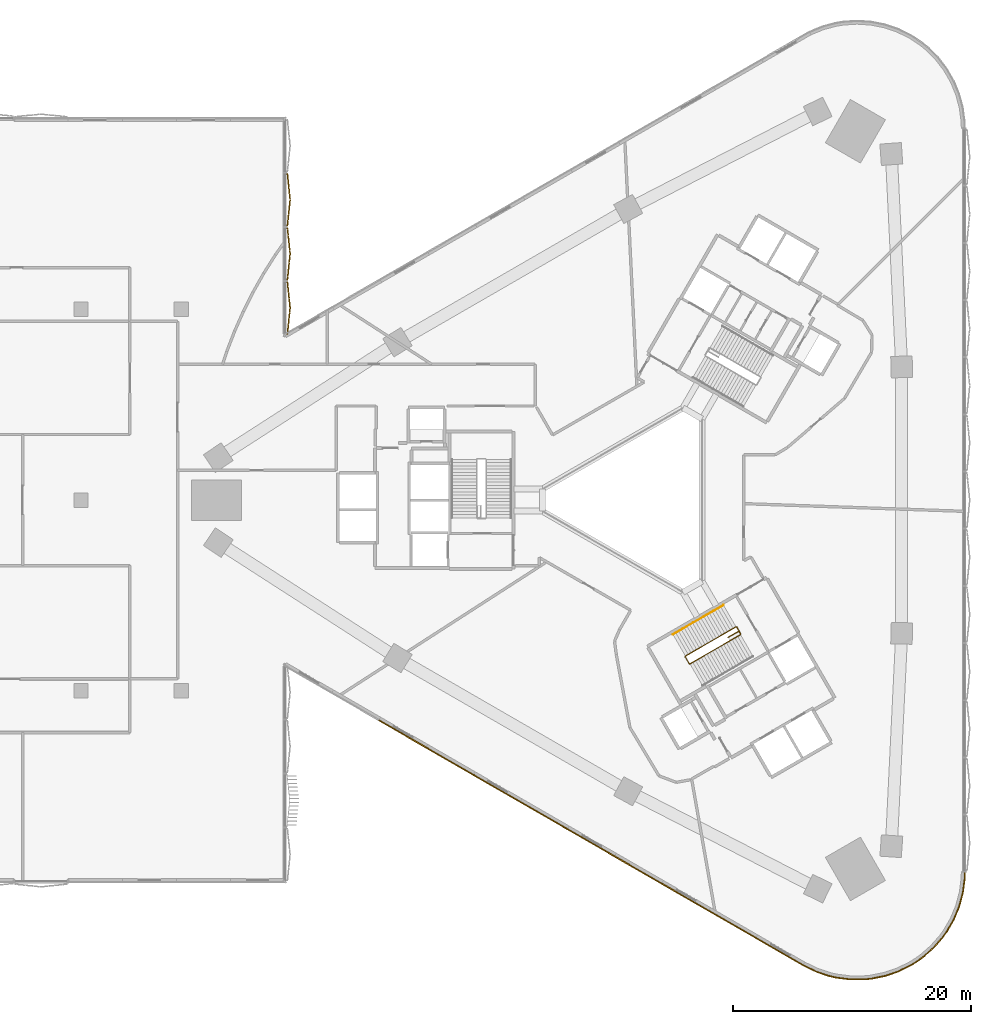
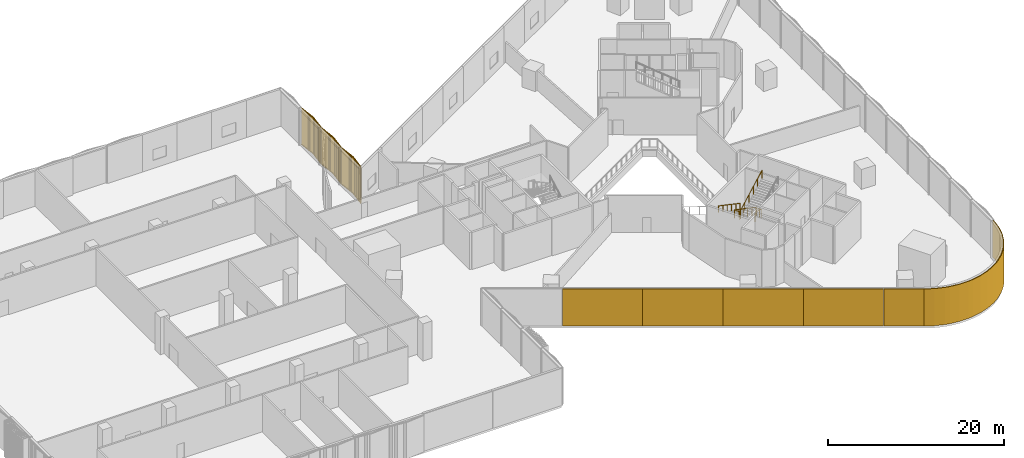
# One storey, part 26 of 31: 9 coverings, 2 railings.
"""IFC4 building model written with IfcOpenShell, lengths in metres."""

from ifc_helpers import new_model, si_unit, direction, frame, frame_2d, origin, origin_2d, place, context, subcontext, project, spatial, polyline, rectangle, circle, outline, extrude, source, transform, mapped, material, layer, layer_set, type_object, element, save


model = new_model("IFC4")

# Units and contexts
model_context = context("Model", 3, precision=1e-05, world=origin(), true_north=direction((0.0, 1.0)))
body_context = subcontext(model_context, "Body", "Model", "MODEL_VIEW")
ifc_project = project(units=[si_unit("LENGTHUNIT", "METRE"), si_unit("AREAUNIT", "SQUARE_METRE"), si_unit("VOLUMEUNIT", "CUBIC_METRE"), si_unit("PLANEANGLEUNIT", "RADIAN"), si_unit("MASSUNIT", "GRAM", prefix="KILO")], contexts=[model_context])

# Site, building, storey
site_placement = place(None, origin())
site = spatial("IfcSite", under=ifc_project, at=site_placement, CompositionType="ELEMENT")
building_placement = place(site_placement, origin())
building = spatial("IfcBuilding", under=site, at=building_placement, Name="Tamra Quay Hotel Tower", CompositionType="ELEMENT")
storey_placement = place(building_placement, frame((0.0, 0.0, 14.0)))
storey = spatial("IfcBuildingStorey", under=building, at=storey_placement, Name="L02", CompositionType="ELEMENT", Elevation=14.0)

# Coverings
ifc_material_1 = material(Name="Precast concrete M60 terracotta-coloured pierced relief", Category="masonry")
ifc_layer = layer(ifc_material_1, 0.10009765625)
ifc_layer_set = layer_set([ifc_layer], Name="PIERCED RELIEF PANEL 100")
covering_type_1 = type_object("IfcCoveringType", Name="PIERCED RELIEF PANEL 100", PredefinedType="CLADDING", material=ifc_layer_set)
for number, where, z_axis, x_axis, name in (
    (1, (-18.161376953125, -20.749267578125, 0.0), (0.0, 0.0, 1.0), (0.866025403784, -0.5, 0.0), "Relief panel L02.SW.02"),
    (2, (-10.252197265625, -25.3154296875, 0.0), (0.0, 0.0, 1.0), (0.866025403784, -0.5, 0.0), "Relief panel L02.SW.04"),
    (3, (-2.34326171875, -29.8818359375, 0.0), (0.0, 0.0, 1.0), (0.866025403784, -0.5, 0.0), "Relief panel L02.SW.06"),
    (4, (5.56591796875, -34.4482421875, 0.0), (0.0, 0.0, 1.0), (0.866025403784, -0.5, 0.0), "Relief panel L02.SW.08"),
):
    element("IfcCovering", number, at=place(storey_placement, frame(where, z_axis=z_axis, x_axis=x_axis)), inside=storey, type_object=covering_type_1, Name=name, PredefinedType="CLADDING", context=body_context, shape_type="SweptSolid", body=[
        extrude(rectangle(XDim=9.112548828125, YDim=0.10009765625, at=origin_2d()), origin(), (0.0, 0.0, 1.0), 5.14990234375),
    ])
covering_1_placement = place(storey_placement, frame((11.497802734375, -37.872802734375, 0.0), z_axis=(0.0, 0.0, 1.0), x_axis=(0.866025403784, -0.5, 0.0)))
element("IfcCovering", 5, at=covering_1_placement, inside=storey, type_object=covering_type_1, Name="Relief panel L02.SW.10", PredefinedType="CLADDING", context=body_context, shape_type="SweptSolid", body=[
    extrude(rectangle(XDim=4.54638671875, YDim=0.10009765625, at=origin_2d()), origin(), (0.0, 0.0, 1.0), 5.14990234375),
])
covering_2_placement = place(storey_placement, origin())
element("IfcCovering", 6, at=covering_2_placement, inside=storey, type_object=covering_type_1, Name="Relief panel L02.c1", PredefinedType="CLADDING", context=body_context, shape_type="SweptSolid", body=[
    extrude(outline(polyline([(13.5, -38.97119140625), (14.555908203125, -39.491943359375), (15.670654296875, -39.870361328125), (16.244140625, -40.00390625), (17.411376953125, -40.15771484375), (18.588623046875, -40.15771484375), (19.1748046875, -40.099853515625), (20.329345703125, -39.870361328125), (21.444091796875, -39.491943359375), (22.5, -38.97119140625), (23.000244140625, -38.66015625), (23.478759765625, -38.317138671875), (24.364013671875, -37.540771484375), (25.14013671875, -36.65576171875), (25.483154296875, -36.177001953125), (26.07177734375, -35.157470703125), (26.5224609375, -34.06982421875), (26.8271484375, -32.9326171875), (26.980712890625, -31.765625), (27.0, -31.177001953125), (27.099853515625, -31.18017578125), (27.080322265625, -31.773681640625), (26.925048828125, -32.9521484375), (26.616943359375, -34.10205078125), (26.16162109375, -35.20166015625), (25.5673828125, -36.231201171875), (25.218505859375, -36.718017578125), (24.4345703125, -37.611572265625), (23.541015625, -38.3955078125), (23.0556640625, -38.743408203125), (22.548583984375, -39.05859375), (21.482421875, -39.584228515625), (20.355224609375, -39.966796875), (19.189453125, -40.19873046875), (18.593505859375, -40.257568359375), (17.40478515625, -40.25732421875), (16.226318359375, -40.102294921875), (15.64306640625, -39.96630859375), (14.517578125, -39.584228515625), (13.455810546875, -39.060791015625), (13.5, -38.97119140625)])), origin(), (0.0, 0.0, 1.0), 5.14990234375),
])

# Railings
ifc_material_2 = material(Name="Stair guard 1100")
railing_type_1 = type_object("IfcRailingType", Name="Stair guard 1100", PredefinedType="GUARDRAIL", material=ifc_material_2)
railing_1_placement = place(storey_placement, frame((7.179443359375, -11.514892578125, 0.0)))
element("IfcRailing", 7, at=railing_1_placement, inside=storey, type_object=railing_type_1, Name="GR", PredefinedType="GUARDRAIL", context=body_context, shape_type="SweptSolid", body=[
    extrude(circle(Radius=0.02392578125, at=origin_2d()), frame((0.0, 0.0, 1.076171875), z_axis=(0.866010750942, 0.50002537861, 0.0), x_axis=(-0.50002537861, 0.866010750942, 0.0)), (0.0, 0.0, 1.0), 1.0),
    extrude(circle(Radius=0.02392578125, at=origin_2d()), frame((0.865966796875, 0.5, 1.076171875), z_axis=(0.695576653509, -0.718451890591, 0.0), x_axis=(0.718451890591, 0.695576653509, 0.0)), (0.0, 0.0, 1.0), 0.2880859375),
    extrude(circle(Radius=0.02392578125, at=origin_2d()), frame((1.06640625, 0.29296875, 1.076171875), z_axis=(-0.500043078269, 0.866000531106, 0.0), x_axis=(-0.866000531106, -0.500043078269, 0.0)), (0.0, 0.0, 1.0), 0.6591796875),
    extrude(circle(Radius=0.02392578125, at=origin_2d()), frame((0.73681640625, 0.86376953125, 1.076171875), z_axis=(-0.424206393549, 0.113626712558, 0.898408540624), x_axis=(-0.258736085224, -0.965948051503, 0.0)), (0.0, 0.0, 1.0), 0.1611328125),
    extrude(circle(Radius=0.02392578125, at=origin_2d()), frame((0.66845703125, 0.882080078125, 1.220703125), z_axis=(-0.764522017745, -0.441403942646, 0.469753811905), x_axis=(0.500005904428, -0.866021994834, 0.0)), (0.0, 0.0, 1.0), 5.5458984375),
    extrude(circle(Radius=0.02392578125, at=origin_2d()), frame((-3.571533203125, -1.56591796875, 3.826171875), z_axis=(-0.258736085224, -0.965948051503, 0.0), x_axis=(0.965948051503, -0.258736085224, 0.0)), (0.0, 0.0, 1.0), 0.07080078125),
    extrude(circle(Radius=0.02392578125, at=origin_2d()), frame((-3.58984375, -1.63427734375, 3.826171875), z_axis=(0.500043078269, -0.866000531106, 0.0), x_axis=(0.866000531106, 0.500043078269, 0.0)), (0.0, 0.0, 1.0), 0.6591796875),
    extrude(circle(Radius=0.02392578125, at=origin_2d()), frame((-3.26025390625, -2.205078125, 3.826171875), z_axis=(0.423035241052, -0.112202895476, 0.899139419153), x_axis=(0.256368644879, 0.966579080015, 0.0)), (0.0, 0.0, 1.0), 0.1611328125),
    extrude(circle(Radius=0.02392578125, at=origin_2d()), frame((-3.192138671875, -2.22314453125, 3.970703125), z_axis=(0.764540308038, 0.441389087327, 0.46973800248), x_axis=(-0.499984312444, 0.866034460809, 0.0)), (0.0, 0.0, 1.0), 5.546142578125),
    extrude(circle(Radius=0.02099609375, at=origin_2d()), origin(), (0.0, 0.0, 1.0), 1.052001953125),
    extrude(circle(Radius=0.02099609375, at=origin_2d()), frame((0.865966796875, 0.5, 0.0)), (0.0, 0.0, 1.0), 1.052001953125),
    extrude(circle(Radius=0.02099609375, at=origin_2d()), frame((1.06640625, 0.29296875, 0.0)), (0.0, 0.0, 1.0), 1.052001953125),
    extrude(circle(Radius=0.02099609375, at=origin_2d()), frame((0.73681640625, 0.86376953125, 0.0)), (0.0, 0.0, 1.0), 1.052001953125),
    extrude(circle(Radius=0.02099609375, at=origin_2d()), frame((0.66845703125, 0.882080078125, 0.144775390625)), (0.0, 0.0, 1.0), 1.052001953125),
    extrude(circle(Radius=0.02099609375, at=origin_2d()), frame((-0.179443359375, 0.392578125, 0.665771484375)), (0.0, 0.0, 1.0), 1.052001953125),
    extrude(circle(Radius=0.02099609375, at=origin_2d()), frame((-1.027587890625, -0.09716796875, 1.186767578125)), (0.0, 0.0, 1.0), 1.052001953125),
    extrude(circle(Radius=0.02099609375, at=origin_2d()), frame((-1.87548828125, -0.586669921875, 1.7080078125)), (0.0, 0.0, 1.0), 1.052001953125),
    extrude(circle(Radius=0.02099609375, at=origin_2d()), frame((-2.7236328125, -1.076416015625, 2.22900390625)), (0.0, 0.0, 1.0), 1.052001953125),
    extrude(circle(Radius=0.02099609375, at=origin_2d()), frame((-3.571533203125, -1.56591796875, 2.75)), (0.0, 0.0, 1.0), 1.052001953125),
    extrude(circle(Radius=0.02099609375, at=origin_2d()), frame((-3.58984375, -1.63427734375, 2.75)), (0.0, 0.0, 1.0), 1.052001953125),
    extrude(circle(Radius=0.02099609375, at=origin_2d()), frame((-3.26025390625, -2.205078125, 2.75)), (0.0, 0.0, 1.0), 1.052001953125),
    extrude(circle(Radius=0.02099609375, at=origin_2d()), frame((-3.192138671875, -2.22314453125, 2.894775390625)), (0.0, 0.0, 1.0), 1.052001953125),
    extrude(circle(Radius=0.02099609375, at=origin_2d()), frame((-2.343994140625, -1.733642578125, 3.415771484375)), (0.0, 0.0, 1.0), 1.052001953125),
    extrude(circle(Radius=0.02099609375, at=origin_2d()), frame((-1.49609375, -1.243896484375, 3.936767578125)), (0.0, 0.0, 1.0), 1.052001953125),
    extrude(circle(Radius=0.02099609375, at=origin_2d()), frame((-0.64794921875, -0.75439453125, 4.4580078125)), (0.0, 0.0, 1.0), 1.052001953125),
    extrude(circle(Radius=0.02099609375, at=origin_2d()), frame((0.199951171875, -0.2646484375, 4.97900390625)), (0.0, 0.0, 1.0), 1.052001953125),
    extrude(circle(Radius=0.02099609375, at=origin_2d()), frame((1.048095703125, 0.224853515625, 5.5)), (0.0, 0.0, 1.0), 1.052001953125),
])
ifc_material_3 = material(Name="Stair handrail 900")
railing_type_2 = type_object("IfcRailingType", Name="Stair handrail 900", PredefinedType="HANDRAIL", material=ifc_material_3)
railing_2_placement = place(storey_placement, frame((6.7978515625, -8.814208984375, 0.144775390625)))
element("IfcRailing", 8, at=railing_2_placement, inside=storey, type_object=railing_type_2, Name="HR", PredefinedType="HANDRAIL", context=body_context, shape_type="SweptSolid", body=[
    extrude(circle(Radius=0.02392578125, at=origin_2d()), frame((0.0, 0.0, 0.8759765625), z_axis=(-0.764522017745, -0.441403942646, 0.469753811905), x_axis=(0.500005904428, -0.866021994834, 0.0)), (0.0, 0.0, 1.0), 5.5458984375),
    extrude(circle(Radius=0.02099609375, at=origin_2d()), origin(), (0.0, 0.0, 1.0), 0.851806640625),
    extrude(circle(Radius=0.02099609375, at=origin_2d()), frame((-0.847900390625, -0.489501953125, 0.52099609375)), (0.0, 0.0, 1.0), 0.851806640625),
    extrude(circle(Radius=0.02099609375, at=origin_2d()), frame((-1.696044921875, -0.979248046875, 1.0419921875)), (0.0, 0.0, 1.0), 0.851806640625),
    extrude(circle(Radius=0.02099609375, at=origin_2d()), frame((-2.5439453125, -1.46875, 1.563232421875)), (0.0, 0.0, 1.0), 0.851806640625),
    extrude(circle(Radius=0.02099609375, at=origin_2d()), frame((-3.39208984375, -1.95849609375, 2.084228515625)), (0.0, 0.0, 1.0), 0.851806640625),
    extrude(circle(Radius=0.02099609375, at=origin_2d()), frame((-4.239990234375, -2.447998046875, 2.605224609375)), (0.0, 0.0, 1.0), 0.851806640625),
])

# Coverings
ifc_material_4 = material(Name="Terracotta baguette extruded", Category="masonry")
covering_type_2 = type_object("IfcCoveringType", Name="BAGUETTE SCREEN PODIUM-SHALLOW H5150", PredefinedType="USERDEFINED", material=ifc_material_4)
shared_shape = source(origin(), body_context, "Body", "SweptSolid", [
    extrude(rectangle(XDim=2.234619140625, YDim=0.06005859375, at=frame_2d((1.1171875, 0.030029296875))), frame((-2.228759765625, -0.0576171875, -0.1201171875), z_axis=(0.0, 0.0, 1.0), x_axis=(0.994521895368, -0.104528463268, 0.0)), (0.0, 0.0, 1.0), 0.1201171875),
    extrude(rectangle(XDim=2.234619140625, YDim=0.06005859375, at=frame_2d((1.1171875, 0.030029296875))), frame((-2.228759765625, -0.0576171875, -5.14990234375), z_axis=(0.0, 0.0, 1.0), x_axis=(0.994521895368, -0.104528463268, 0.0)), (0.0, 0.0, 1.0), 0.1201171875),
    extrude(rectangle(XDim=0.094970703125, YDim=0.10009765625, at=frame_2d((0.04736328125, 0.050048828125))), frame((-2.219482421875, -0.13330078125, -5.090087890625)), (0.0, 0.0, 1.0), 5.030029296875),
    extrude(rectangle(XDim=0.094970703125, YDim=0.10009765625, at=frame_2d((0.04736328125, 0.050048828125))), frame((-2.118408203125, -0.14404296875, -5.090087890625)), (0.0, 0.0, 1.0), 5.030029296875),
    extrude(rectangle(XDim=0.094970703125, YDim=0.10009765625, at=frame_2d((0.04736328125, 0.050048828125))), frame((-2.017333984375, -0.154541015625, -5.090087890625)), (0.0, 0.0, 1.0), 5.030029296875),
    extrude(rectangle(XDim=0.094970703125, YDim=0.10009765625, at=frame_2d((0.04736328125, 0.050048828125))), frame((-1.91650390625, -0.1650390625, -5.090087890625)), (0.0, 0.0, 1.0), 5.030029296875),
    extrude(rectangle(XDim=0.094970703125, YDim=0.10009765625, at=frame_2d((0.04736328125, 0.050048828125))), frame((-1.8154296875, -0.17578125, -5.090087890625)), (0.0, 0.0, 1.0), 5.030029296875),
    extrude(rectangle(XDim=0.094970703125, YDim=0.10009765625, at=frame_2d((0.04736328125, 0.050048828125))), frame((-1.71435546875, -0.186279296875, -5.090087890625)), (0.0, 0.0, 1.0), 5.030029296875),
    extrude(rectangle(XDim=0.094970703125, YDim=0.10009765625, at=frame_2d((0.04736328125, 0.050048828125))), frame((-1.61328125, -0.197021484375, -5.090087890625)), (0.0, 0.0, 1.0), 5.030029296875),
    extrude(rectangle(XDim=0.094970703125, YDim=0.10009765625, at=frame_2d((0.04736328125, 0.050048828125))), frame((-1.512451171875, -0.20751953125, -5.090087890625)), (0.0, 0.0, 1.0), 5.030029296875),
    extrude(rectangle(XDim=0.094970703125, YDim=0.10009765625, at=frame_2d((0.04736328125, 0.050048828125))), frame((-1.411376953125, -0.21826171875, -5.090087890625)), (0.0, 0.0, 1.0), 5.030029296875),
    extrude(rectangle(XDim=0.094970703125, YDim=0.10009765625, at=frame_2d((0.04736328125, 0.050048828125))), frame((-1.310302734375, -0.228759765625, -5.090087890625)), (0.0, 0.0, 1.0), 5.030029296875),
    extrude(rectangle(XDim=0.094970703125, YDim=0.10009765625, at=frame_2d((0.04736328125, 0.050048828125))), frame((-1.209228515625, -0.239501953125, -5.090087890625)), (0.0, 0.0, 1.0), 5.030029296875),
    extrude(rectangle(XDim=0.094970703125, YDim=0.10009765625, at=frame_2d((0.04736328125, 0.050048828125))), frame((-1.108154296875, -0.25, -5.090087890625)), (0.0, 0.0, 1.0), 5.030029296875),
    extrude(rectangle(XDim=0.094970703125, YDim=0.10009765625, at=frame_2d((0.04736328125, 0.050048828125))), frame((-1.00732421875, -0.2607421875, -5.090087890625)), (0.0, 0.0, 1.0), 5.030029296875),
    extrude(rectangle(XDim=0.094970703125, YDim=0.10009765625, at=frame_2d((0.04736328125, 0.050048828125))), frame((-0.90625, -0.271240234375, -5.090087890625)), (0.0, 0.0, 1.0), 5.030029296875),
    extrude(rectangle(XDim=0.094970703125, YDim=0.10009765625, at=frame_2d((0.04736328125, 0.050048828125))), frame((-0.80517578125, -0.281982421875, -5.090087890625)), (0.0, 0.0, 1.0), 5.030029296875),
    extrude(rectangle(XDim=0.094970703125, YDim=0.10009765625, at=frame_2d((0.04736328125, 0.050048828125))), frame((-0.7041015625, -0.29248046875, -5.090087890625)), (0.0, 0.0, 1.0), 5.030029296875),
    extrude(rectangle(XDim=0.094970703125, YDim=0.10009765625, at=frame_2d((0.04736328125, 0.050048828125))), frame((-0.60302734375, -0.30322265625, -5.090087890625)), (0.0, 0.0, 1.0), 5.030029296875),
    extrude(rectangle(XDim=0.094970703125, YDim=0.10009765625, at=frame_2d((0.04736328125, 0.050048828125))), frame((-0.502197265625, -0.313720703125, -5.090087890625)), (0.0, 0.0, 1.0), 5.030029296875),
    extrude(rectangle(XDim=0.094970703125, YDim=0.10009765625, at=frame_2d((0.04736328125, 0.050048828125))), frame((-0.401123046875, -0.324462890625, -5.090087890625)), (0.0, 0.0, 1.0), 5.030029296875),
    extrude(rectangle(XDim=0.094970703125, YDim=0.10009765625, at=frame_2d((0.04736328125, 0.050048828125))), frame((-0.300048828125, -0.3349609375, -5.090087890625)), (0.0, 0.0, 1.0), 5.030029296875),
    extrude(rectangle(XDim=0.094970703125, YDim=0.10009765625, at=frame_2d((0.04736328125, 0.050048828125))), frame((-0.198974609375, -0.345703125, -5.090087890625)), (0.0, 0.0, 1.0), 5.030029296875),
    extrude(rectangle(XDim=0.094970703125, YDim=0.10009765625, at=frame_2d((0.04736328125, 0.050048828125))), frame((-0.097900390625, -0.356201171875, -5.090087890625)), (0.0, 0.0, 1.0), 5.030029296875),
    extrude(rectangle(XDim=2.234619140625, YDim=0.06005859375, at=frame_2d((1.1171875, 0.030029296875))), frame((0.00634765625, -0.291259765625, -0.1201171875), z_axis=(0.0, 0.0, 1.0), x_axis=(0.994521895368, 0.104528463268, 0.0)), (0.0, 0.0, 1.0), 0.1201171875),
    extrude(rectangle(XDim=2.234619140625, YDim=0.06005859375, at=frame_2d((1.1171875, 0.030029296875))), frame((0.00634765625, -0.291259765625, -5.14990234375), z_axis=(0.0, 0.0, 1.0), x_axis=(0.994521895368, 0.104528463268, 0.0)), (0.0, 0.0, 1.0), 0.1201171875),
    extrude(rectangle(XDim=0.094970703125, YDim=0.10009765625, at=frame_2d((0.04736328125, 0.050048828125))), frame((0.0029296875, -0.356201171875, -5.090087890625)), (0.0, 0.0, 1.0), 5.030029296875),
    extrude(rectangle(XDim=0.094970703125, YDim=0.10009765625, at=frame_2d((0.04736328125, 0.050048828125))), frame((0.10400390625, -0.345703125, -5.090087890625)), (0.0, 0.0, 1.0), 5.030029296875),
    extrude(rectangle(XDim=0.094970703125, YDim=0.10009765625, at=frame_2d((0.04736328125, 0.050048828125))), frame((0.205078125, -0.3349609375, -5.090087890625)), (0.0, 0.0, 1.0), 5.030029296875),
    extrude(rectangle(XDim=0.094970703125, YDim=0.10009765625, at=frame_2d((0.04736328125, 0.050048828125))), frame((0.30615234375, -0.324462890625, -5.090087890625)), (0.0, 0.0, 1.0), 5.030029296875),
    extrude(rectangle(XDim=0.094970703125, YDim=0.10009765625, at=frame_2d((0.04736328125, 0.050048828125))), frame((0.406982421875, -0.313720703125, -5.090087890625)), (0.0, 0.0, 1.0), 5.030029296875),
    extrude(rectangle(XDim=0.094970703125, YDim=0.10009765625, at=frame_2d((0.04736328125, 0.050048828125))), frame((0.508056640625, -0.30322265625, -5.090087890625)), (0.0, 0.0, 1.0), 5.030029296875),
    extrude(rectangle(XDim=0.094970703125, YDim=0.10009765625, at=frame_2d((0.04736328125, 0.050048828125))), frame((0.609130859375, -0.29248046875, -5.090087890625)), (0.0, 0.0, 1.0), 5.030029296875),
    extrude(rectangle(XDim=0.094970703125, YDim=0.10009765625, at=frame_2d((0.04736328125, 0.050048828125))), frame((0.710205078125, -0.281982421875, -5.090087890625)), (0.0, 0.0, 1.0), 5.030029296875),
    extrude(rectangle(XDim=0.094970703125, YDim=0.10009765625, at=frame_2d((0.04736328125, 0.050048828125))), frame((0.811279296875, -0.271240234375, -5.090087890625)), (0.0, 0.0, 1.0), 5.030029296875),
    extrude(rectangle(XDim=0.094970703125, YDim=0.10009765625, at=frame_2d((0.04736328125, 0.050048828125))), frame((0.912109375, -0.2607421875, -5.090087890625)), (0.0, 0.0, 1.0), 5.030029296875),
    extrude(rectangle(XDim=0.094970703125, YDim=0.10009765625, at=frame_2d((0.04736328125, 0.050048828125))), frame((1.01318359375, -0.25, -5.090087890625)), (0.0, 0.0, 1.0), 5.030029296875),
    extrude(rectangle(XDim=0.094970703125, YDim=0.10009765625, at=frame_2d((0.04736328125, 0.050048828125))), frame((1.1142578125, -0.239501953125, -5.090087890625)), (0.0, 0.0, 1.0), 5.030029296875),
    extrude(rectangle(XDim=0.094970703125, YDim=0.10009765625, at=frame_2d((0.04736328125, 0.050048828125))), frame((1.21533203125, -0.228759765625, -5.090087890625)), (0.0, 0.0, 1.0), 5.030029296875),
    extrude(rectangle(XDim=0.094970703125, YDim=0.10009765625, at=frame_2d((0.04736328125, 0.050048828125))), frame((1.31640625, -0.21826171875, -5.090087890625)), (0.0, 0.0, 1.0), 5.030029296875),
    extrude(rectangle(XDim=0.094970703125, YDim=0.10009765625, at=frame_2d((0.04736328125, 0.050048828125))), frame((1.417236328125, -0.20751953125, -5.090087890625)), (0.0, 0.0, 1.0), 5.030029296875),
    extrude(rectangle(XDim=0.094970703125, YDim=0.10009765625, at=frame_2d((0.04736328125, 0.050048828125))), frame((1.518310546875, -0.197021484375, -5.090087890625)), (0.0, 0.0, 1.0), 5.030029296875),
    extrude(rectangle(XDim=0.094970703125, YDim=0.10009765625, at=frame_2d((0.04736328125, 0.050048828125))), frame((1.619384765625, -0.186279296875, -5.090087890625)), (0.0, 0.0, 1.0), 5.030029296875),
    extrude(rectangle(XDim=0.094970703125, YDim=0.10009765625, at=frame_2d((0.04736328125, 0.050048828125))), frame((1.720458984375, -0.17578125, -5.090087890625)), (0.0, 0.0, 1.0), 5.030029296875),
    extrude(rectangle(XDim=0.094970703125, YDim=0.10009765625, at=frame_2d((0.04736328125, 0.050048828125))), frame((1.821533203125, -0.1650390625, -5.090087890625)), (0.0, 0.0, 1.0), 5.030029296875),
    extrude(rectangle(XDim=0.094970703125, YDim=0.10009765625, at=frame_2d((0.04736328125, 0.050048828125))), frame((1.92236328125, -0.154541015625, -5.090087890625)), (0.0, 0.0, 1.0), 5.030029296875),
    extrude(rectangle(XDim=0.094970703125, YDim=0.10009765625, at=frame_2d((0.04736328125, 0.050048828125))), frame((2.0234375, -0.14404296875, -5.090087890625)), (0.0, 0.0, 1.0), 5.030029296875),
    extrude(rectangle(XDim=0.094970703125, YDim=0.10009765625, at=frame_2d((0.04736328125, 0.050048828125))), frame((2.12451171875, -0.13330078125, -5.090087890625)), (0.0, 0.0, 1.0), 5.030029296875),
])
for number, where, z_axis, x_axis, name in (
    (9, (-29.85205078125, 16.124267578125, 5.14990234375), (0.0, 0.0, 1.0), (0.0, 1.0, 0.0), "Baguette screen L02.E.f17"),
    (10, (-29.85205078125, 20.66015625, 5.14990234375), (0.0, 0.0, 1.0), (0.0, 1.0, 0.0), "Baguette screen L02.E.f18"),
    (11, (-29.85205078125, 25.196044921875, 5.14990234375), (0.0, 0.0, 1.0), (0.0, 1.0, 0.0), "Baguette screen L02.E.f19"),
):
    element("IfcCovering", number, at=place(storey_placement, frame(where, z_axis=z_axis, x_axis=x_axis)), inside=storey, type_object=covering_type_2, Name=name, ObjectType="BAGUETTE SCREEN", PredefinedType="USERDEFINED", context=body_context, shape_type="MappedRepresentation", body=[
        mapped(shared_shape, transform((0.0, 0.0, 0.0), scale=1.0)),
    ])

save(model, "model.ifc")
